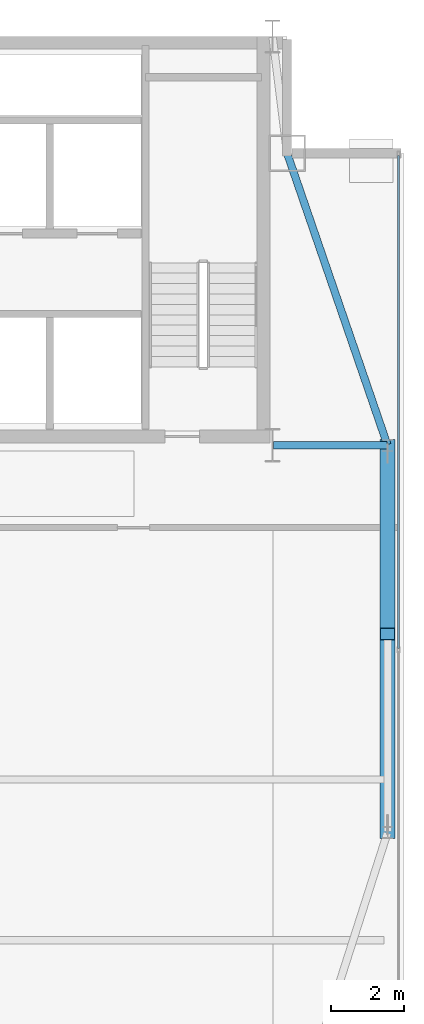
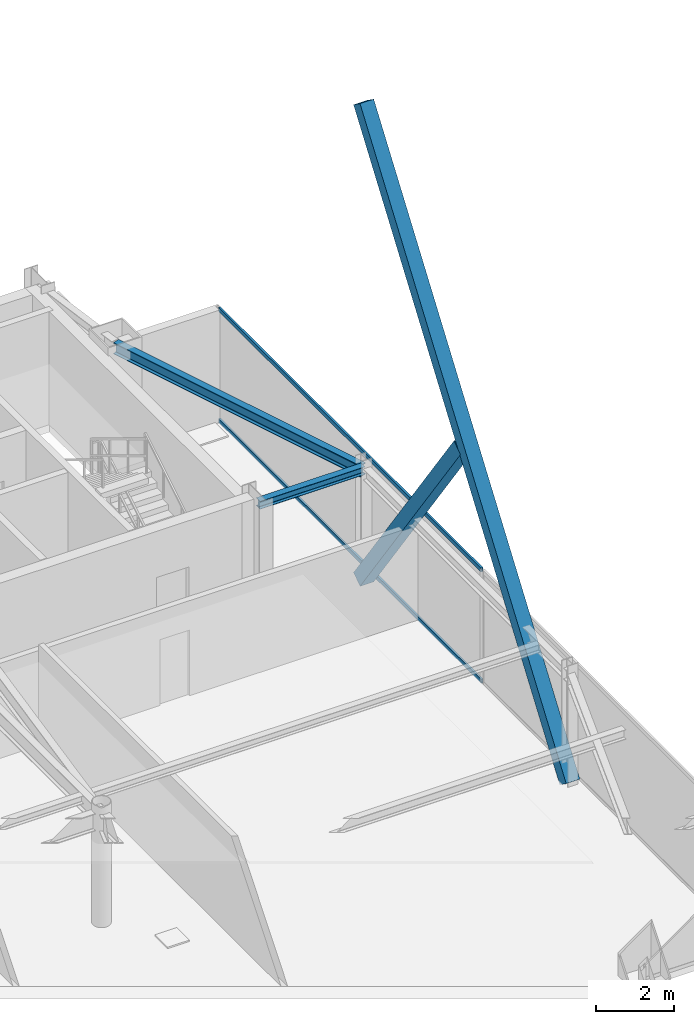
# One storey, part 14 of 25: 4 members, 2 beams, 1 element without a shape of its own.
"""IFC4 building model written with IfcOpenShell, lengths in metres."""

import ifcopenshell
import ifcopenshell.guid

model = None  # the IFC model being written
_history = None  # IfcOwnerHistory: only IFC2X3 demands one
_inside = {}  # id of a spatial element -> (the spatial element, [elements in it])
_under = {}  # id of a project, library or spatial element -> (it, [spatial elements below it])
_declared = {}  # id of a project -> (the project, [libraries it declares])
_typed = {}  # id of a type object -> (the type object, [elements of that type])
_made_of = {}  # id of a material, layer set ... -> (it, [elements and type objects made of it])


def new_model(schema):
    """Start an empty IFC model of exactly this schema.

    Asked for "IFC4X3", IfcOpenShell would pick the latest addendum, in which some entities
    have other attributes; the version numbers below select the first issue.
    IFC2X3 requires an IfcOwnerHistory on every rooted entity: one is made here for all.
    """
    global model, _history
    if schema == "IFC4X3":
        model = ifcopenshell.file(schema_version=(4, 3, 0, 0))
    else:
        model = ifcopenshell.file(schema=schema)
    _inside.clear()
    _under.clear()
    _declared.clear()
    _typed.clear()
    _made_of.clear()
    _history = None
    if model.schema == "IFC2X3":
        org = make("IfcOrganization", Name="unknown")
        user = make(
            "IfcPersonAndOrganization",
            ThePerson=make("IfcPerson", FamilyName="unknown"),
            TheOrganization=org,
        )
        app = make(
            "IfcApplication",
            ApplicationDeveloper=org,
            Version="unknown",
            ApplicationFullName="unknown",
            ApplicationIdentifier="unknown",
        )
        _history = make(
            "IfcOwnerHistory",
            OwningUser=user,
            OwningApplication=app,
            ChangeAction="ADDED",
            CreationDate=0,
        )
    return model


def make(cls, **values):
    """One entity of the class cls with the attributes given. An attribute that is None is left unset."""
    return model.create_entity(
        cls, **{name: value for name, value in values.items() if value is not None}
    )


def rooted(cls, **values):
    """An entity with a GlobalId (a new one), such as an element, a storey or a relation."""
    return make(cls, GlobalId=ifcopenshell.guid.new(), OwnerHistory=_history, **values)


def si_unit(unit_type, name, prefix=None):
    """IfcSIUnit, for example si_unit("LENGTHUNIT", "METRE", prefix="MILLI")."""
    return make("IfcSIUnit", UnitType=unit_type, Prefix=prefix, Name=name)


def assignment(units):
    """IfcUnitAssignment: the units of a project."""
    return None if units is None else make("IfcUnitAssignment", Units=units)


def point(xyz):
    """IfcCartesianPoint."""
    return None if xyz is None else make("IfcCartesianPoint", Coordinates=xyz)


def direction(xyz):
    """IfcDirection."""
    return None if xyz is None else make("IfcDirection", DirectionRatios=xyz)


def frame(location, z_axis=None, x_axis=None):
    """IfcAxis2Placement3D, a coordinate frame: its origin and axes. An axis left out is left unset."""
    return make(
        "IfcAxis2Placement3D",
        Location=point(location),
        Axis=direction(z_axis),
        RefDirection=direction(x_axis),
    )


def frame_2d(location, x_axis=None):
    """IfcAxis2Placement2D, a coordinate frame in the plane: its origin and x axis."""
    return make(
        "IfcAxis2Placement2D", Location=point(location), RefDirection=direction(x_axis)
    )


def origin():
    """The frame at (0, 0, 0) with its axes left unset."""
    return frame((0.0, 0.0, 0.0))


def origin_2d():
    """The frame at (0, 0) in the plane with its x axis left unset."""
    return frame_2d((0.0, 0.0))


def place(relative_to, where):
    """IfcLocalPlacement: puts the frame where relative to a parent placement (None: the world)."""
    return make(
        "IfcLocalPlacement", PlacementRelTo=relative_to, RelativePlacement=where
    )


def context(
    kind, dimensions, precision=None, world=None, true_north=None, identifier=None
):
    """IfcGeometricRepresentationContext, for example the 3D "Model" context."""
    return make(
        "IfcGeometricRepresentationContext",
        ContextIdentifier=identifier,
        ContextType=kind,
        CoordinateSpaceDimension=dimensions,
        Precision=precision,
        WorldCoordinateSystem=world,
        TrueNorth=true_north,
    )


def subcontext(parent, identifier, kind, view, scale=None):
    """IfcGeometricRepresentationSubContext, for example "Body" below "Model"."""
    return make(
        "IfcGeometricRepresentationSubContext",
        ContextIdentifier=identifier,
        ContextType=kind,
        ParentContext=parent,
        TargetScale=scale,
        TargetView=view,
    )


def project(units=None, contexts=None):
    """IfcProject with its units and contexts."""
    return rooted(
        "IfcProject",
        Name="project",
        RepresentationContexts=contexts,
        UnitsInContext=assignment(units),
    )


def spatial(cls, under=None, at=None, **own):
    """A site, building, storey or space (cls), placed at a placement, below another one or the project."""
    s = rooted(cls, ObjectPlacement=at, **own)
    if under is not None:
        _under.setdefault(under.id(), (under, []))[1].append(s)
    return s


def profile(cls, at=None, kind="AREA", **sizes):
    """A parametric profile (cls). Its sizes go by their IFC names, for example OverallWidth=200.0."""
    return make(cls, ProfileType=kind, Position=at, **sizes)


def hollow_rectangle(**sizes):
    """IfcRectangleHollowProfileDef."""
    return profile("IfcRectangleHollowProfileDef", **sizes)


def i_section(**sizes):
    """IfcIShapeProfileDef."""
    return profile("IfcIShapeProfileDef", **sizes)


def extrude(swept, where, along, depth):
    """IfcExtrudedAreaSolid: the profile swept, set in the frame where, extruded along a direction by depth."""
    return make(
        "IfcExtrudedAreaSolid",
        SweptArea=swept,
        Position=where,
        ExtrudedDirection=direction(along),
        Depth=depth,
    )


def shape(context_of_items, identifier, shape_type, items):
    """IfcShapeRepresentation: the items that make up one representation, for example the "Body"."""
    return make(
        "IfcShapeRepresentation",
        ContextOfItems=context_of_items,
        RepresentationIdentifier=identifier,
        RepresentationType=shape_type,
        Items=items,
    )


def source(mapping_origin, context_of_items, identifier, shape_type, items):
    """IfcRepresentationMap: a shape defined once, which mapped items show again and again."""
    return make(
        "IfcRepresentationMap",
        MappingOrigin=mapping_origin,
        MappedRepresentation=shape(context_of_items, identifier, shape_type, items),
    )


def transform(
    local_origin,
    x_axis=None,
    y_axis=None,
    z_axis=None,
    scale=None,
    scale2=None,
    scale3=None,
    uniform=True,
):
    """IfcCartesianTransformationOperator3D, or its non-uniform kind. x_axis, y_axis, z_axis: its Axis1, 2, 3."""
    if uniform:
        return make(
            "IfcCartesianTransformationOperator3D",
            Axis1=direction(x_axis),
            Axis2=direction(y_axis),
            LocalOrigin=point(local_origin),
            Scale=scale,
            Axis3=direction(z_axis),
        )
    return make(
        "IfcCartesianTransformationOperator3DnonUniform",
        Axis1=direction(x_axis),
        Axis2=direction(y_axis),
        LocalOrigin=point(local_origin),
        Scale=scale,
        Axis3=direction(z_axis),
        Scale2=scale2,
        Scale3=scale3,
    )


def mapped(mapping_source, mapping_target):
    """IfcMappedItem: shows the shape of a source again, moved by a transform."""
    return make(
        "IfcMappedItem", MappingSource=mapping_source, MappingTarget=mapping_target
    )


def material(Name=None, Category=None):
    """IfcMaterial."""
    return make("IfcMaterial", Name=Name, Category=Category)


def layer(
    of_material, thickness, ventilated=None, Name=None, Category=None, Priority=None
):
    """IfcMaterialLayer: one layer of a wall or slab, of a material (None: an air gap)."""
    return make(
        "IfcMaterialLayer",
        Material=of_material,
        LayerThickness=thickness,
        IsVentilated=ventilated,
        Name=Name,
        Category=Category,
        Priority=Priority,
    )


def layer_set(layers, Name=None):
    """IfcMaterialLayerSet."""
    return make("IfcMaterialLayerSet", MaterialLayers=layers, LayerSetName=Name)


def material_profile(
    of_material, cross_section, Name=None, Category=None, Priority=None
):
    """IfcMaterialProfile: a cross section and its material."""
    return make(
        "IfcMaterialProfile",
        Name=Name,
        Material=of_material,
        Profile=cross_section,
        Priority=Priority,
        Category=Category,
    )


def profile_set(profiles, Name=None, composite=None):
    """IfcMaterialProfileSet."""
    return make(
        "IfcMaterialProfileSet",
        Name=Name,
        MaterialProfiles=profiles,
        CompositeProfile=composite,
    )


def made_of(thing, what):
    """Note that an element or type object is made of a material, layer set ...; save() writes the relation."""
    if what is not None:
        _made_of.setdefault(what.id(), (what, []))[1].append(thing)
    return thing


def type_object(cls, material=None, **own):
    """A type object (cls), such as IfcWallType, which elements share."""
    return made_of(rooted(cls, **own), material)


def type_shapes(of_type, sources):
    """Give a type object the sources (RepresentationMaps) that its elements show as mapped items."""
    of_type.RepresentationMaps = sources


def element(
    cls,
    number,
    at=None,
    inside=None,
    cuts=None,
    type_object=None,
    material=None,
    context=None,
    identifier="Body",
    shape_type=None,
    held_by="IfcProductDefinitionShape",
    body=None,
    shapes=None,
    **own,
):
    """One element of the class cls, such as IfcWall. Its Tag is "e" and its number.

    at: its placement. inside: the storey or other place that contains it. cuts: it is an
    opening in that element (IfcRelVoidsElement). A single representation is given by context,
    identifier, shape_type and body (its items); several are given by shapes. held_by: the class
    of the entity that holds the representations. save() writes the other relations.
    """
    e = rooted(cls, Tag="e%d" % number, ObjectPlacement=at, **own)
    if body is not None:
        shapes = [shape(context, identifier, shape_type, body)]
    if shapes is not None:
        e.Representation = make(held_by, Representations=shapes)
    if inside is not None:
        _inside.setdefault(inside.id(), (inside, []))[1].append(e)
    if cuts is not None:
        rooted(
            "IfcRelVoidsElement", RelatingBuildingElement=cuts, RelatedOpeningElement=e
        )
    if type_object is not None:
        _typed.setdefault(type_object.id(), (type_object, []))[1].append(e)
    return made_of(e, material)


def aggregate(whole, parts):
    """IfcRelAggregates: a whole, such as a stair, and the parts it consists of."""
    return rooted("IfcRelAggregates", RelatingObject=whole, RelatedObjects=parts)


def save(model, path):
    """Write the relations noted so far, then the file.

    IfcRelAggregates (storeys below a building ...), IfcRelContainedInSpatialStructure (elements
    in a storey), IfcRelDefinesByType, IfcRelAssociatesMaterial and IfcRelDeclares: one each for
    every whole, place, type object, material and project.
    """
    for whole, parts in _under.values():
        aggregate(whole, parts)
    for where, things in _inside.values():
        rooted(
            "IfcRelContainedInSpatialStructure",
            RelatedElements=things,
            RelatingStructure=where,
        )
    for kind, things in _typed.values():
        rooted("IfcRelDefinesByType", RelatedObjects=things, RelatingType=kind)
    for what, things in _made_of.values():
        rooted("IfcRelAssociatesMaterial", RelatedObjects=things, RelatingMaterial=what)
    for by, libraries in _declared.values():
        rooted("IfcRelDeclares", RelatingContext=by, RelatedDefinitions=libraries)
    model.write(path)


model = new_model("IFC4")

# Units and contexts
model_context = context("Model", 3, precision=1e-05, world=origin(), true_north=direction((0.0, 1.0)))
body_context = subcontext(model_context, "Body", "Model", "MODEL_VIEW")
ifc_project = project(units=[si_unit("LENGTHUNIT", "METRE"), si_unit("AREAUNIT", "SQUARE_METRE"), si_unit("VOLUMEUNIT", "CUBIC_METRE"), si_unit("PLANEANGLEUNIT", "RADIAN"), si_unit("MASSUNIT", "GRAM", prefix="KILO")], contexts=[model_context])

# Site, building, storey
site_placement = place(None, origin())
site = spatial("IfcSite", under=ifc_project, at=site_placement, CompositionType="ELEMENT")
building_placement = place(site_placement, origin())
building = spatial("IfcBuilding", under=site, at=building_placement, Name="Varnel Quay Broadcast Tower", CompositionType="ELEMENT")
storey_placement = place(building_placement, frame((0.0, 0.0, 258.39990234375)))
storey = spatial("IfcBuildingStorey", under=building, at=storey_placement, Name="L64", CompositionType="ELEMENT", Elevation=258.39990234375)

# Beams
ifc_material_1 = material(Name="Structural Steel CSA G40.21 350W", Category="steel")
ifc_material_profile_1 = material_profile(ifc_material_1, i_section(OverallWidth=0.205078125, OverallDepth=0.35400390625, WebThickness=0.009521484375, FlangeThickness=0.016845703125, FilletRadius=0.012939453125, at=origin_2d()), Name="W360X79")
ifc_profile_set_1 = profile_set([ifc_material_profile_1], Name="Structural Steel CSA G40.21 350W")
beam_type_1 = type_object("IfcBeamType", Name="Beam_W360X79", PredefinedType="SPANDREL", material=ifc_profile_set_1)
shared_shape_1 = source(origin(), body_context, "Body", "SweptSolid", [
    extrude(i_section(OverallWidth=0.205078125, OverallDepth=0.35400390625, WebThickness=0.009521484375, FlangeThickness=0.016845703125, FilletRadius=0.012939453125, at=origin_2d()), origin(), (0.0, 0.0, 1.0), 8.41943359375),
])
type_shapes(beam_type_1, [shared_shape_1])
beam_1_placement = place(storey_placement, frame((55.54345703125, 35.618896484375, 3.373046875), z_axis=(-0.325087062108, 0.945684092099, 0.0), x_axis=(-0.945684092099, -0.325087062108, 0.0)))
element("IfcBeam", 1, at=beam_1_placement, inside=storey, type_object=beam_type_1, Name="L64 East Spandrel TC-E2-MC-NE", PredefinedType="SPANDREL", context=body_context, shape_type="MappedRepresentation", body=[
    mapped(shared_shape_1, transform((0.0, 0.0, 0.0), x_axis=(1.0, 0.0, 0.0), y_axis=(0.0, 1.0, 0.0), z_axis=(0.0, 0.0, 1.0), scale=1.0)),
])
ifc_material_profile_2 = material_profile(ifc_material_1, i_section(OverallWidth=0.201904296875, OverallDepth=0.2470703125, WebThickness=0.00732421875, FlangeThickness=0.010986328125, FilletRadius=0.010986328125, at=origin_2d()), Name="W250X49")
ifc_profile_set_2 = profile_set([ifc_material_profile_2], Name="Structural Steel CSA G40.21 350W")
beam_type_2 = type_object("IfcBeamType", Name="Beam_W250X49", PredefinedType="JOIST", material=ifc_profile_set_2)
shared_shape_2 = source(origin(), body_context, "Body", "SweptSolid", [
    extrude(i_section(OverallWidth=0.201904296875, OverallDepth=0.2470703125, WebThickness=0.00732421875, FlangeThickness=0.010986328125, FilletRadius=0.010986328125, at=origin_2d()), origin(), (0.0, 0.0, 1.0), 3.110107421875),
])
type_shapes(beam_type_2, [shared_shape_2])
beam_2_placement = place(storey_placement, frame((52.419921875, 35.60009765625, 3.426513671875), z_axis=(1.0, 0.0, 0.0), x_axis=(0.0, 1.0, 0.0)))
element("IfcBeam", 2, at=beam_2_placement, inside=storey, type_object=beam_type_2, Name="L64 East Core Tie Joist", PredefinedType="JOIST", context=body_context, shape_type="MappedRepresentation", body=[
    mapped(shared_shape_2, transform((0.0, 0.0, 0.0), x_axis=(1.0, 0.0, 0.0), y_axis=(0.0, 1.0, 0.0), z_axis=(0.0, 0.0, 1.0), scale=1.0)),
])

# Members
ifc_material_profile_3 = material_profile(ifc_material_1, hollow_rectangle(XDim=0.406005859375, YDim=0.406005859375, WallThickness=0.01611328125, at=origin_2d()), Name="HSS406X406X16")
ifc_profile_set_3 = profile_set([ifc_material_profile_3], Name="Structural Steel CSA G40.21 350W")
member_type_1 = type_object("IfcMemberType", Name="Brace_HSS406X406X16", PredefinedType="BRACE", material=ifc_profile_set_3)
shared_shape_3 = source(origin(), body_context, "Body", "SweptSolid", [
    extrude(hollow_rectangle(XDim=0.406005859375, YDim=0.406005859375, WallThickness=0.01611328125, at=origin_2d()), origin(), (0.0, 0.0, 1.0), 18.294189453125),
])
member_1_placement = place(storey_placement, frame((55.550048828125, 25.0, 0.02001953125), z_axis=(0.0, 0.579426482739, 0.815024509509), x_axis=(-1.0, 0.0, 0.0)))
element("IfcMember", 3, at=member_1_placement, inside=storey, type_object=member_type_1, Name="Zone 5 Mega-Brace E-FT1 Continuous Diag A", PredefinedType="BRACE", context=body_context, shape_type="MappedRepresentation", body=[
    mapped(shared_shape_3, transform((0.0, 0.0, 0.0), x_axis=(1.0, 0.0, 0.0), y_axis=(0.0, 1.0, 0.0), z_axis=(0.0, 0.0, 1.0), scale=1.0)),
])
shared_shape_4 = source(origin(), body_context, "Body", "SweptSolid", [
    extrude(hollow_rectangle(XDim=0.406005859375, YDim=0.406005859375, WallThickness=0.01611328125, at=origin_2d()), origin(), (0.0, 0.0, 1.0), 8.9072265625),
])
type_shapes(member_type_1, [shared_shape_3, shared_shape_4])
member_2_placement = place(storey_placement, frame((55.550048828125, 35.60009765625, 0.02001953125), z_axis=(0.0, -0.579434785498, 0.815018606754), x_axis=(1.0, 0.0, 0.0)))
element("IfcMember", 4, at=member_2_placement, inside=storey, type_object=member_type_1, Name="Zone 5 Mega-Brace E-FT1 Split Diag B1", PredefinedType="BRACE", context=body_context, shape_type="MappedRepresentation", body=[
    mapped(shared_shape_4, transform((0.0, 0.0, 0.0), x_axis=(1.0, 0.0, 0.0), y_axis=(0.0, 1.0, 0.0), z_axis=(0.0, 0.0, 1.0), scale=1.0)),
])

# Curtain wall, members
ifc_material_2 = material(Name="Anodised Bronze Aluminium 6063-T6", Category="aluminium")
ifc_layer = layer(ifc_material_2, 0.18994140625, Name="Anodised Bronze Aluminium 6063-T6")
ifc_layer_set = layer_set([ifc_layer], Name="Anodised Bronze Aluminium 6063-T6")
curtain_wall_type = type_object("IfcCurtainWallType", Name="CW_UpperTower", PredefinedType="NOTDEFINED", material=ifc_layer_set)
curtain_wall_placement = place(storey_placement, origin())
curtain_wall = element("IfcCurtainWall", 5, at=curtain_wall_placement, inside=storey, type_object=curtain_wall_type, Name="L64 East Unitised Curtain Wall", PredefinedType="NOTDEFINED")
ifc_material_profile_4 = material_profile(ifc_material_2, hollow_rectangle(XDim=0.06005859375, YDim=0.125, WallThickness=0.0029296875, at=origin_2d()), Name="ALU60X125X3")
ifc_profile_set_4 = profile_set([ifc_material_profile_4], Name="Anodised Bronze Aluminium 6063-T6")
member_type_2 = type_object("IfcMemberType", Name="Tran_CWS-03", PredefinedType="USERDEFINED", material=ifc_profile_set_4)
shared_shape_5 = source(origin(), body_context, "Body", "SweptSolid", [
    extrude(hollow_rectangle(XDim=0.06005859375, YDim=0.125, WallThickness=0.0029296875, at=origin_2d()), origin(), (0.0, 0.0, 1.0), 13.50244140625),
])
type_shapes(member_type_2, [shared_shape_5])
member_3_placement = place(storey_placement, frame((55.85009765625, 30.032470703125, 0.030029296875), z_axis=(0.0, 1.0, 0.0), x_axis=(-1.0, 0.0, 0.0)))
member_3 = element("IfcMember", 6, at=member_3_placement, type_object=member_type_2, Name="CWS-03 transom 2.1", ObjectType="TRANSOM", PredefinedType="USERDEFINED", context=body_context, shape_type="MappedRepresentation", body=[
    mapped(shared_shape_5, transform((0.0, 0.0, 0.0), x_axis=(1.0, 0.0, 0.0), y_axis=(0.0, 1.0, 0.0), z_axis=(0.0, 0.0, 1.0), scale=1.0)),
])
member_4_placement = place(storey_placement, frame((55.85009765625, 30.032470703125, 3.52001953125), z_axis=(0.0, 1.0, 0.0), x_axis=(-1.0, 0.0, 0.0)))
member_4 = element("IfcMember", 7, at=member_4_placement, type_object=member_type_2, Name="CWS-03 transom 2.2", ObjectType="TRANSOM", PredefinedType="USERDEFINED", context=body_context, shape_type="MappedRepresentation", body=[
    mapped(shared_shape_5, transform((0.0, 0.0, 0.0), x_axis=(1.0, 0.0, 0.0), y_axis=(0.0, 1.0, 0.0), z_axis=(0.0, 0.0, 1.0), scale=1.0)),
])
aggregate(curtain_wall, [member_3, member_4])

save(model, "model.ifc")
